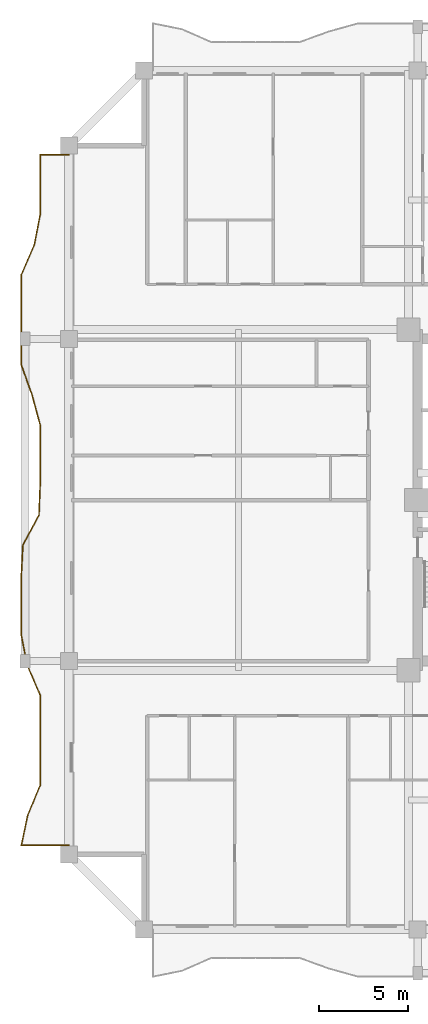
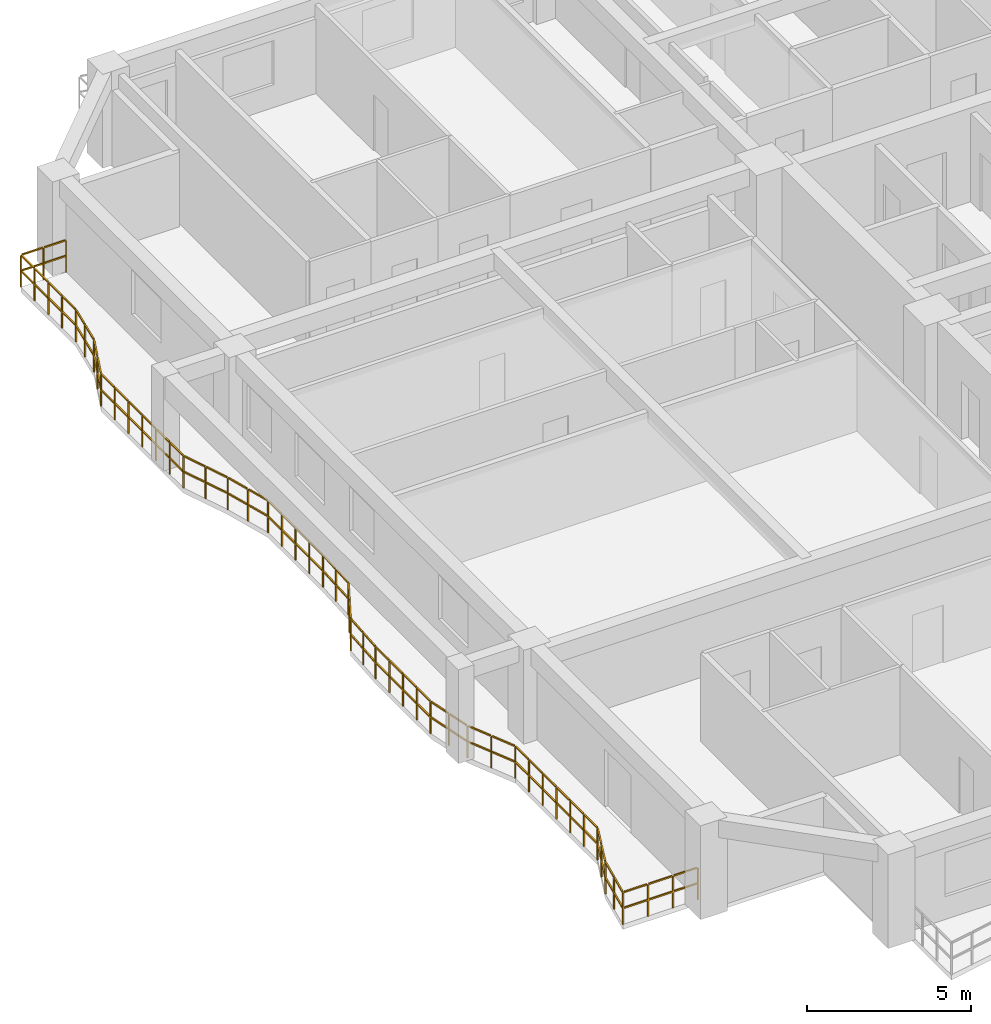
# One storey, part 12 of 17: 1 railing.
"""IFC4 building model written with IfcOpenShell, lengths in metres."""

from ifc_helpers import new_model, si_unit, direction, frame, origin, origin_2d, place, context, subcontext, project, spatial, rectangle, extrude, material, type_object, element, save


model = new_model("IFC4")

# Units and contexts
model_context = context("Model", 3, precision=1e-05, world=origin(), true_north=direction((0.0, 1.0)))
body_context = subcontext(model_context, "Body", "Model", "MODEL_VIEW")
ifc_project = project(units=[si_unit("LENGTHUNIT", "METRE"), si_unit("AREAUNIT", "SQUARE_METRE"), si_unit("VOLUMEUNIT", "CUBIC_METRE"), si_unit("PLANEANGLEUNIT", "RADIAN"), si_unit("MASSUNIT", "GRAM", prefix="KILO")], contexts=[model_context])

# Site, building, storey
site_placement = place(None, origin())
site = spatial("IfcSite", under=ifc_project, at=site_placement, CompositionType="ELEMENT")
building_placement = place(site_placement, origin())
building = spatial("IfcBuilding", under=site, at=building_placement, Name="Saelheon Loggia Tower", CompositionType="ELEMENT")
storey_placement = place(building_placement, frame((0.0, 0.0, 74.35009765625)))
storey = spatial("IfcBuildingStorey", under=building, at=storey_placement, Name="L23", CompositionType="ELEMENT", Elevation=74.35009765625)

# Railing
ifc_material = material(Name="Architectural Precast Concrete and Laminated Glass Guard", Category="concrete")
railing_type = type_object("IfcRailingType", Name="Guard_Loggia_RL_LOG", PredefinedType="BALUSTRADE", material=ifc_material)
railing_placement = place(storey_placement, frame((12.0, 46.300048828125, 0.0)))
element("IfcRailing", 1, at=railing_placement, inside=storey, type_object=railing_type, Name="L23 West Loggia Balustrade", PredefinedType="BALUSTRADE", context=body_context, shape_type="SweptSolid", body=[
    extrude(rectangle(XDim=0.048095703125, YDim=0.048095703125, at=origin_2d()), frame((-0.033203125, 0.0, 1.19580078125), z_axis=(-1.0, 0.0, 0.0), x_axis=(0.0, -1.0, 0.0)), (0.0, 0.0, 1.0), 0.733642578125),
    extrude(rectangle(XDim=0.048095703125, YDim=0.048095703125, at=origin_2d()), frame((-0.033203125, 0.0, 0.60986328125), z_axis=(-1.0, 0.0, 0.0), x_axis=(0.0, -1.0, 0.0)), (0.0, 0.0, 1.0), 0.733642578125),
    extrude(rectangle(XDim=0.048095703125, YDim=0.048095703125, at=origin_2d()), frame((-0.833251953125, 0.0, 1.19580078125), z_axis=(-1.0, 0.0, 0.0), x_axis=(0.0, -1.0, 0.0)), (0.0, 0.0, 1.0), 0.733642578125),
    extrude(rectangle(XDim=0.048095703125, YDim=0.048095703125, at=origin_2d()), frame((-0.833251953125, 0.0, 0.60986328125), z_axis=(-1.0, 0.0, 0.0), x_axis=(0.0, -1.0, 0.0)), (0.0, 0.0, 1.0), 0.733642578125),
    extrude(rectangle(XDim=0.048095703125, YDim=0.048095703125, at=origin_2d()), frame((-1.60009765625, -0.033203125, 1.19580078125), z_axis=(0.0, -1.0, 0.0), x_axis=(1.0, 0.0, 0.0)), (0.0, 0.0, 1.0), 0.772705078125),
    extrude(rectangle(XDim=0.048095703125, YDim=0.048095703125, at=origin_2d()), frame((-1.60009765625, -0.033203125, 0.60986328125), z_axis=(0.0, -1.0, 0.0), x_axis=(1.0, 0.0, 0.0)), (0.0, 0.0, 1.0), 0.772705078125),
    extrude(rectangle(XDim=0.048095703125, YDim=0.048095703125, at=origin_2d()), frame((-1.60009765625, -0.87255859375, 1.19580078125), z_axis=(0.0, -1.0, 0.0), x_axis=(1.0, 0.0, 0.0)), (0.0, 0.0, 1.0), 0.772705078125),
    extrude(rectangle(XDim=0.048095703125, YDim=0.048095703125, at=origin_2d()), frame((-1.60009765625, -0.87255859375, 0.60986328125), z_axis=(0.0, -1.0, 0.0), x_axis=(1.0, 0.0, 0.0)), (0.0, 0.0, 1.0), 0.772705078125),
    extrude(rectangle(XDim=0.048095703125, YDim=0.048095703125, at=origin_2d()), frame((-1.60009765625, -1.711669921875, 1.19580078125), z_axis=(0.0, -1.0, 0.0), x_axis=(1.0, 0.0, 0.0)), (0.0, 0.0, 1.0), 0.7724609375),
    extrude(rectangle(XDim=0.048095703125, YDim=0.048095703125, at=origin_2d()), frame((-1.60009765625, -1.711669921875, 0.60986328125), z_axis=(0.0, -1.0, 0.0), x_axis=(1.0, 0.0, 0.0)), (0.0, 0.0, 1.0), 0.7724609375),
    extrude(rectangle(XDim=0.048095703125, YDim=0.048095703125, at=origin_2d()), frame((-1.60009765625, -2.55078125, 1.19580078125), z_axis=(0.0, -1.0, 0.0), x_axis=(1.0, 0.0, 0.0)), (0.0, 0.0, 1.0), 0.7724609375),
    extrude(rectangle(XDim=0.048095703125, YDim=0.048095703125, at=origin_2d()), frame((-1.60009765625, -2.55078125, 0.60986328125), z_axis=(0.0, -1.0, 0.0), x_axis=(1.0, 0.0, 0.0)), (0.0, 0.0, 1.0), 0.7724609375),
    extrude(rectangle(XDim=0.048095703125, YDim=0.048095703125, at=origin_2d()), frame((-1.6064453125, -3.38916015625, 1.19580078125), z_axis=(-0.190208387004, -0.981743739228, 0.0), x_axis=(0.981743739228, -0.190208387004, 0.0)), (0.0, 0.0, 1.0), 0.788330078125),
    extrude(rectangle(XDim=0.048095703125, YDim=0.048095703125, at=origin_2d()), frame((-1.6064453125, -3.38916015625, 0.60986328125), z_axis=(-0.190208387004, -0.981743739228, 0.0), x_axis=(0.981743739228, -0.190208387004, 0.0)), (0.0, 0.0, 1.0), 0.788330078125),
    extrude(rectangle(XDim=0.048095703125, YDim=0.048095703125, at=origin_2d()), frame((-1.76904296875, -4.228271484375, 1.19580078125), z_axis=(-0.190208387004, -0.981743739228, 0.0), x_axis=(0.981743739228, -0.190208387004, 0.0)), (0.0, 0.0, 1.0), 0.788330078125),
    extrude(rectangle(XDim=0.048095703125, YDim=0.048095703125, at=origin_2d()), frame((-1.76904296875, -4.228271484375, 0.60986328125), z_axis=(-0.190208387004, -0.981743739228, 0.0), x_axis=(0.981743739228, -0.190208387004, 0.0)), (0.0, 0.0, 1.0), 0.788330078125),
    extrude(rectangle(XDim=0.048095703125, YDim=0.048095703125, at=origin_2d()), frame((-1.9384765625, -5.0654296875, 1.19580078125), z_axis=(-0.396400198959, -0.918077819286, 0.0), x_axis=(0.918077819286, -0.396400198959, 0.0)), (0.0, 0.0, 1.0), 0.847412109375),
    extrude(rectangle(XDim=0.048095703125, YDim=0.048095703125, at=origin_2d()), frame((-1.9384765625, -5.0654296875, 0.60986328125), z_axis=(-0.396400198959, -0.918077819286, 0.0), x_axis=(0.918077819286, -0.396400198959, 0.0)), (0.0, 0.0, 1.0), 0.847412109375),
    extrude(rectangle(XDim=0.048095703125, YDim=0.048095703125, at=origin_2d()), frame((-2.30078125, -5.904541015625, 1.19580078125), z_axis=(-0.396400198959, -0.918077819286, 0.0), x_axis=(0.918077819286, -0.396400198959, 0.0)), (0.0, 0.0, 1.0), 0.847412109375),
    extrude(rectangle(XDim=0.048095703125, YDim=0.048095703125, at=origin_2d()), frame((-2.30078125, -5.904541015625, 0.60986328125), z_axis=(-0.396400198959, -0.918077819286, 0.0), x_axis=(0.918077819286, -0.396400198959, 0.0)), (0.0, 0.0, 1.0), 0.847412109375),
    extrude(rectangle(XDim=0.048095703125, YDim=0.048095703125, at=origin_2d()), frame((-2.64990234375, -6.746337890625, 1.19580078125), z_axis=(0.0, -1.0, 0.0), x_axis=(1.0, 0.0, 0.0)), (0.0, 0.0, 1.0), 0.772705078125),
    extrude(rectangle(XDim=0.048095703125, YDim=0.048095703125, at=origin_2d()), frame((-2.64990234375, -6.746337890625, 0.60986328125), z_axis=(0.0, -1.0, 0.0), x_axis=(1.0, 0.0, 0.0)), (0.0, 0.0, 1.0), 0.772705078125),
    extrude(rectangle(XDim=0.048095703125, YDim=0.048095703125, at=origin_2d()), frame((-2.64990234375, -7.58544921875, 1.19580078125), z_axis=(0.0, -1.0, 0.0), x_axis=(1.0, 0.0, 0.0)), (0.0, 0.0, 1.0), 0.772705078125),
    extrude(rectangle(XDim=0.048095703125, YDim=0.048095703125, at=origin_2d()), frame((-2.64990234375, -7.58544921875, 0.60986328125), z_axis=(0.0, -1.0, 0.0), x_axis=(1.0, 0.0, 0.0)), (0.0, 0.0, 1.0), 0.772705078125),
    extrude(rectangle(XDim=0.048095703125, YDim=0.048095703125, at=origin_2d()), frame((-2.64990234375, -8.424560546875, 1.19580078125), z_axis=(0.0, -1.0, 0.0), x_axis=(1.0, 0.0, 0.0)), (0.0, 0.0, 1.0), 0.772705078125),
    extrude(rectangle(XDim=0.048095703125, YDim=0.048095703125, at=origin_2d()), frame((-2.64990234375, -8.424560546875, 0.60986328125), z_axis=(0.0, -1.0, 0.0), x_axis=(1.0, 0.0, 0.0)), (0.0, 0.0, 1.0), 0.772705078125),
    extrude(rectangle(XDim=0.048095703125, YDim=0.048095703125, at=origin_2d()), frame((-2.64990234375, -9.263671875, 1.19580078125), z_axis=(0.0, -1.0, 0.0), x_axis=(1.0, 0.0, 0.0)), (0.0, 0.0, 1.0), 0.772705078125),
    extrude(rectangle(XDim=0.048095703125, YDim=0.048095703125, at=origin_2d()), frame((-2.64990234375, -9.263671875, 0.60986328125), z_axis=(0.0, -1.0, 0.0), x_axis=(1.0, 0.0, 0.0)), (0.0, 0.0, 1.0), 0.772705078125),
    extrude(rectangle(XDim=0.048095703125, YDim=0.048095703125, at=origin_2d()), frame((-2.64990234375, -10.102783203125, 1.19580078125), z_axis=(0.0, -1.0, 0.0), x_axis=(1.0, 0.0, 0.0)), (0.0, 0.0, 1.0), 0.772705078125),
    extrude(rectangle(XDim=0.048095703125, YDim=0.048095703125, at=origin_2d()), frame((-2.64990234375, -10.102783203125, 0.60986328125), z_axis=(0.0, -1.0, 0.0), x_axis=(1.0, 0.0, 0.0)), (0.0, 0.0, 1.0), 0.772705078125),
    extrude(rectangle(XDim=0.048095703125, YDim=0.048095703125, at=origin_2d()), frame((-2.64990234375, -10.94189453125, 1.19580078125), z_axis=(0.0, -1.0, 0.0), x_axis=(1.0, 0.0, 0.0)), (0.0, 0.0, 1.0), 0.772705078125),
    extrude(rectangle(XDim=0.048095703125, YDim=0.048095703125, at=origin_2d()), frame((-2.64990234375, -10.94189453125, 0.60986328125), z_axis=(0.0, -1.0, 0.0), x_axis=(1.0, 0.0, 0.0)), (0.0, 0.0, 1.0), 0.772705078125),
    extrude(rectangle(XDim=0.048095703125, YDim=0.048095703125, at=origin_2d()), frame((-2.638671875, -11.779052734375, 1.19580078125), z_axis=(0.334468754842, -0.942406839976, 0.0), x_axis=(0.942406839976, 0.334468754842, 0.0)), (0.0, 0.0, 1.0), 0.823974609375),
    extrude(rectangle(XDim=0.048095703125, YDim=0.048095703125, at=origin_2d()), frame((-2.638671875, -11.779052734375, 0.60986328125), z_axis=(0.334468754842, -0.942406839976, 0.0), x_axis=(0.942406839976, 0.334468754842, 0.0)), (0.0, 0.0, 1.0), 0.823974609375),
    extrude(rectangle(XDim=0.048095703125, YDim=0.048095703125, at=origin_2d()), frame((-2.3408203125, -12.618408203125, 1.19580078125), z_axis=(0.334468754842, -0.942406839976, 0.0), x_axis=(0.942406839976, 0.334468754842, 0.0)), (0.0, 0.0, 1.0), 0.823974609375),
    extrude(rectangle(XDim=0.048095703125, YDim=0.048095703125, at=origin_2d()), frame((-2.3408203125, -12.618408203125, 0.60986328125), z_axis=(0.334468754842, -0.942406839976, 0.0), x_axis=(0.942406839976, 0.334468754842, 0.0)), (0.0, 0.0, 1.0), 0.823974609375),
    extrude(rectangle(XDim=0.048095703125, YDim=0.048095703125, at=origin_2d()), frame((-2.04541015625, -13.458251953125, 1.19580078125), z_axis=(0.261227378057, -0.965277295368, 0.0), x_axis=(0.965277295368, 0.261227378057, 0.0)), (0.0, 0.0, 1.0), 0.802734375),
    extrude(rectangle(XDim=0.048095703125, YDim=0.048095703125, at=origin_2d()), frame((-2.04541015625, -13.458251953125, 0.60986328125), z_axis=(0.261227378057, -0.965277295368, 0.0), x_axis=(0.965277295368, 0.261227378057, 0.0)), (0.0, 0.0, 1.0), 0.802734375),
    extrude(rectangle(XDim=0.048095703125, YDim=0.048095703125, at=origin_2d()), frame((-1.818359375, -14.29736328125, 1.19580078125), z_axis=(0.261227378057, -0.965277295368, 0.0), x_axis=(0.965277295368, 0.261227378057, 0.0)), (0.0, 0.0, 1.0), 0.802734375),
    extrude(rectangle(XDim=0.048095703125, YDim=0.048095703125, at=origin_2d()), frame((-1.818359375, -14.29736328125, 0.60986328125), z_axis=(0.261227378057, -0.965277295368, 0.0), x_axis=(0.965277295368, 0.261227378057, 0.0)), (0.0, 0.0, 1.0), 0.802734375),
    extrude(rectangle(XDim=0.048095703125, YDim=0.048095703125, at=origin_2d()), frame((-1.60009765625, -15.137451171875, 1.19580078125), z_axis=(0.0, -1.0, 0.0), x_axis=(1.0, 0.0, 0.0)), (0.0, 0.0, 1.0), 0.772705078125),
    extrude(rectangle(XDim=0.048095703125, YDim=0.048095703125, at=origin_2d()), frame((-1.60009765625, -15.137451171875, 0.60986328125), z_axis=(0.0, -1.0, 0.0), x_axis=(1.0, 0.0, 0.0)), (0.0, 0.0, 1.0), 0.772705078125),
    extrude(rectangle(XDim=0.048095703125, YDim=0.048095703125, at=origin_2d()), frame((-1.60009765625, -15.976806640625, 1.19580078125), z_axis=(0.0, -1.0, 0.0), x_axis=(1.0, 0.0, 0.0)), (0.0, 0.0, 1.0), 0.772705078125),
    extrude(rectangle(XDim=0.048095703125, YDim=0.048095703125, at=origin_2d()), frame((-1.60009765625, -15.976806640625, 0.60986328125), z_axis=(0.0, -1.0, 0.0), x_axis=(1.0, 0.0, 0.0)), (0.0, 0.0, 1.0), 0.772705078125),
    extrude(rectangle(XDim=0.048095703125, YDim=0.048095703125, at=origin_2d()), frame((-1.60009765625, -16.81591796875, 1.19580078125), z_axis=(0.0, -1.0, 0.0), x_axis=(1.0, 0.0, 0.0)), (0.0, 0.0, 1.0), 0.772705078125),
    extrude(rectangle(XDim=0.048095703125, YDim=0.048095703125, at=origin_2d()), frame((-1.60009765625, -16.81591796875, 0.60986328125), z_axis=(0.0, -1.0, 0.0), x_axis=(1.0, 0.0, 0.0)), (0.0, 0.0, 1.0), 0.772705078125),
    extrude(rectangle(XDim=0.048095703125, YDim=0.048095703125, at=origin_2d()), frame((-1.60009765625, -17.655029296875, 1.19580078125), z_axis=(0.0, -1.0, 0.0), x_axis=(1.0, 0.0, 0.0)), (0.0, 0.0, 1.0), 0.772705078125),
    extrude(rectangle(XDim=0.048095703125, YDim=0.048095703125, at=origin_2d()), frame((-1.60009765625, -17.655029296875, 0.60986328125), z_axis=(0.0, -1.0, 0.0), x_axis=(1.0, 0.0, 0.0)), (0.0, 0.0, 1.0), 0.772705078125),
    extrude(rectangle(XDim=0.048095703125, YDim=0.048095703125, at=origin_2d()), frame((-1.601318359375, -18.494140625, 1.19580078125), z_axis=(-0.039103035271, -0.999235183844, 0.0), x_axis=(0.999235183844, -0.039103035271, 0.0)), (0.0, 0.0, 1.0), 0.773193359375),
    extrude(rectangle(XDim=0.048095703125, YDim=0.048095703125, at=origin_2d()), frame((-1.601318359375, -18.494140625, 0.60986328125), z_axis=(-0.039103035271, -0.999235183844, 0.0), x_axis=(0.999235183844, -0.039103035271, 0.0)), (0.0, 0.0, 1.0), 0.773193359375),
    extrude(rectangle(XDim=0.048095703125, YDim=0.048095703125, at=origin_2d()), frame((-1.63427734375, -19.333251953125, 1.19580078125), z_axis=(-0.039103035271, -0.999235183844, 0.0), x_axis=(0.999235183844, -0.039103035271, 0.0)), (0.0, 0.0, 1.0), 0.773193359375),
    extrude(rectangle(XDim=0.048095703125, YDim=0.048095703125, at=origin_2d()), frame((-1.63427734375, -19.333251953125, 0.60986328125), z_axis=(-0.039103035271, -0.999235183844, 0.0), x_axis=(0.999235183844, -0.039103035271, 0.0)), (0.0, 0.0, 1.0), 0.773193359375),
    extrude(rectangle(XDim=0.048095703125, YDim=0.048095703125, at=origin_2d()), frame((-1.681396484375, -20.16845703125, 1.19580078125), z_axis=(-0.470474964031, -0.882413343179, 0.0), x_axis=(0.882413343179, -0.470474964031, 0.0)), (0.0, 0.0, 1.0), 0.884521484375),
    extrude(rectangle(XDim=0.048095703125, YDim=0.048095703125, at=origin_2d()), frame((-1.681396484375, -20.16845703125, 0.60986328125), z_axis=(-0.470474964031, -0.882413343179, 0.0), x_axis=(0.882413343179, -0.470474964031, 0.0)), (0.0, 0.0, 1.0), 0.884521484375),
    extrude(rectangle(XDim=0.048095703125, YDim=0.048095703125, at=origin_2d()), frame((-2.12890625, -21.007568359375, 1.19580078125), z_axis=(-0.470474964031, -0.882413343179, 0.0), x_axis=(0.882413343179, -0.470474964031, 0.0)), (0.0, 0.0, 1.0), 0.884521484375),
    extrude(rectangle(XDim=0.048095703125, YDim=0.048095703125, at=origin_2d()), frame((-2.12890625, -21.007568359375, 0.60986328125), z_axis=(-0.470474964031, -0.882413343179, 0.0), x_axis=(0.882413343179, -0.470474964031, 0.0)), (0.0, 0.0, 1.0), 0.884521484375),
    extrude(rectangle(XDim=0.048095703125, YDim=0.048095703125, at=origin_2d()), frame((-2.562255859375, -21.8505859375, 1.19580078125), z_axis=(-0.053161084744, -0.998585949765, 0.0), x_axis=(0.998585949765, -0.053161084744, 0.0)), (0.0, 0.0, 1.0), 0.77392578125),
    extrude(rectangle(XDim=0.048095703125, YDim=0.048095703125, at=origin_2d()), frame((-2.562255859375, -21.8505859375, 0.60986328125), z_axis=(-0.053161084744, -0.998585949765, 0.0), x_axis=(0.998585949765, -0.053161084744, 0.0)), (0.0, 0.0, 1.0), 0.77392578125),
    extrude(rectangle(XDim=0.048095703125, YDim=0.048095703125, at=origin_2d()), frame((-2.60693359375, -22.689697265625, 1.19580078125), z_axis=(-0.053161084744, -0.998585949765, 0.0), x_axis=(0.998585949765, -0.053161084744, 0.0)), (0.0, 0.0, 1.0), 0.77392578125),
    extrude(rectangle(XDim=0.048095703125, YDim=0.048095703125, at=origin_2d()), frame((-2.60693359375, -22.689697265625, 0.60986328125), z_axis=(-0.053161084744, -0.998585949765, 0.0), x_axis=(0.998585949765, -0.053161084744, 0.0)), (0.0, 0.0, 1.0), 0.77392578125),
    extrude(rectangle(XDim=0.048095703125, YDim=0.048095703125, at=origin_2d()), frame((-2.64990234375, -23.529052734375, 1.19580078125), z_axis=(0.0, -1.0, 0.0), x_axis=(1.0, 0.0, 0.0)), (0.0, 0.0, 1.0), 0.7724609375),
    extrude(rectangle(XDim=0.048095703125, YDim=0.048095703125, at=origin_2d()), frame((-2.64990234375, -23.529052734375, 0.60986328125), z_axis=(0.0, -1.0, 0.0), x_axis=(1.0, 0.0, 0.0)), (0.0, 0.0, 1.0), 0.7724609375),
    extrude(rectangle(XDim=0.048095703125, YDim=0.048095703125, at=origin_2d()), frame((-2.64990234375, -24.3681640625, 1.19580078125), z_axis=(0.0, -1.0, 0.0), x_axis=(1.0, 0.0, 0.0)), (0.0, 0.0, 1.0), 0.7724609375),
    extrude(rectangle(XDim=0.048095703125, YDim=0.048095703125, at=origin_2d()), frame((-2.64990234375, -24.3681640625, 0.60986328125), z_axis=(0.0, -1.0, 0.0), x_axis=(1.0, 0.0, 0.0)), (0.0, 0.0, 1.0), 0.7724609375),
    extrude(rectangle(XDim=0.048095703125, YDim=0.048095703125, at=origin_2d()), frame((-2.64990234375, -25.20703125, 1.19580078125), z_axis=(0.0, -1.0, 0.0), x_axis=(1.0, 0.0, 0.0)), (0.0, 0.0, 1.0), 0.772705078125),
    extrude(rectangle(XDim=0.048095703125, YDim=0.048095703125, at=origin_2d()), frame((-2.64990234375, -25.20703125, 0.60986328125), z_axis=(0.0, -1.0, 0.0), x_axis=(1.0, 0.0, 0.0)), (0.0, 0.0, 1.0), 0.772705078125),
    extrude(rectangle(XDim=0.048095703125, YDim=0.048095703125, at=origin_2d()), frame((-2.64990234375, -26.04638671875, 1.19580078125), z_axis=(0.0, -1.0, 0.0), x_axis=(1.0, 0.0, 0.0)), (0.0, 0.0, 1.0), 0.772705078125),
    extrude(rectangle(XDim=0.048095703125, YDim=0.048095703125, at=origin_2d()), frame((-2.64990234375, -26.04638671875, 0.60986328125), z_axis=(0.0, -1.0, 0.0), x_axis=(1.0, 0.0, 0.0)), (0.0, 0.0, 1.0), 0.772705078125),
    extrude(rectangle(XDim=0.048095703125, YDim=0.048095703125, at=origin_2d()), frame((-2.6435546875, -26.885009765625, 1.19580078125), z_axis=(0.191060757648, -0.981578212313, 0.0), x_axis=(0.981578212313, 0.191060757648, 0.0)), (0.0, 0.0, 1.0), 0.788330078125),
    extrude(rectangle(XDim=0.048095703125, YDim=0.048095703125, at=origin_2d()), frame((-2.6435546875, -26.885009765625, 0.60986328125), z_axis=(0.191060757648, -0.981578212313, 0.0), x_axis=(0.981578212313, 0.191060757648, 0.0)), (0.0, 0.0, 1.0), 0.788330078125),
    extrude(rectangle(XDim=0.048095703125, YDim=0.048095703125, at=origin_2d()), frame((-2.480224609375, -27.72412109375, 1.19580078125), z_axis=(0.191060757648, -0.981578212313, 0.0), x_axis=(0.981578212313, 0.191060757648, 0.0)), (0.0, 0.0, 1.0), 0.788330078125),
    extrude(rectangle(XDim=0.048095703125, YDim=0.048095703125, at=origin_2d()), frame((-2.480224609375, -27.72412109375, 0.60986328125), z_axis=(0.191060757648, -0.981578212313, 0.0), x_axis=(0.981578212313, 0.191060757648, 0.0)), (0.0, 0.0, 1.0), 0.788330078125),
    extrude(rectangle(XDim=0.048095703125, YDim=0.048095703125, at=origin_2d()), frame((-2.31005859375, -28.56103515625, 1.19580078125), z_axis=(0.395724447391, -0.918369294857, 0.0), x_axis=(0.918369294857, 0.395724447391, 0.0)), (0.0, 0.0, 1.0), 0.84716796875),
    extrude(rectangle(XDim=0.048095703125, YDim=0.048095703125, at=origin_2d()), frame((-2.31005859375, -28.56103515625, 0.60986328125), z_axis=(0.395724447391, -0.918369294857, 0.0), x_axis=(0.918369294857, 0.395724447391, 0.0)), (0.0, 0.0, 1.0), 0.84716796875),
    extrude(rectangle(XDim=0.048095703125, YDim=0.048095703125, at=origin_2d()), frame((-1.948486328125, -29.400146484375, 1.19580078125), z_axis=(0.395724447391, -0.918369294857, 0.0), x_axis=(0.918369294857, 0.395724447391, 0.0)), (0.0, 0.0, 1.0), 0.84716796875),
    extrude(rectangle(XDim=0.048095703125, YDim=0.048095703125, at=origin_2d()), frame((-1.948486328125, -29.400146484375, 0.60986328125), z_axis=(0.395724447391, -0.918369294857, 0.0), x_axis=(0.918369294857, 0.395724447391, 0.0)), (0.0, 0.0, 1.0), 0.84716796875),
    extrude(rectangle(XDim=0.048095703125, YDim=0.048095703125, at=origin_2d()), frame((-1.60009765625, -30.241943359375, 1.19580078125), z_axis=(0.0, -1.0, 0.0), x_axis=(1.0, 0.0, 0.0)), (0.0, 0.0, 1.0), 0.772705078125),
    extrude(rectangle(XDim=0.048095703125, YDim=0.048095703125, at=origin_2d()), frame((-1.60009765625, -30.241943359375, 0.60986328125), z_axis=(0.0, -1.0, 0.0), x_axis=(1.0, 0.0, 0.0)), (0.0, 0.0, 1.0), 0.772705078125),
    extrude(rectangle(XDim=0.048095703125, YDim=0.048095703125, at=origin_2d()), frame((-1.60009765625, -31.0810546875, 1.19580078125), z_axis=(0.0, -1.0, 0.0), x_axis=(1.0, 0.0, 0.0)), (0.0, 0.0, 1.0), 0.772705078125),
    extrude(rectangle(XDim=0.048095703125, YDim=0.048095703125, at=origin_2d()), frame((-1.60009765625, -31.0810546875, 0.60986328125), z_axis=(0.0, -1.0, 0.0), x_axis=(1.0, 0.0, 0.0)), (0.0, 0.0, 1.0), 0.772705078125),
    extrude(rectangle(XDim=0.048095703125, YDim=0.048095703125, at=origin_2d()), frame((-1.60009765625, -31.920166015625, 1.19580078125), z_axis=(0.0, -1.0, 0.0), x_axis=(1.0, 0.0, 0.0)), (0.0, 0.0, 1.0), 0.772705078125),
    extrude(rectangle(XDim=0.048095703125, YDim=0.048095703125, at=origin_2d()), frame((-1.60009765625, -31.920166015625, 0.60986328125), z_axis=(0.0, -1.0, 0.0), x_axis=(1.0, 0.0, 0.0)), (0.0, 0.0, 1.0), 0.772705078125),
    extrude(rectangle(XDim=0.048095703125, YDim=0.048095703125, at=origin_2d()), frame((-1.60009765625, -32.75927734375, 1.19580078125), z_axis=(0.0, -1.0, 0.0), x_axis=(1.0, 0.0, 0.0)), (0.0, 0.0, 1.0), 0.772705078125),
    extrude(rectangle(XDim=0.048095703125, YDim=0.048095703125, at=origin_2d()), frame((-1.60009765625, -32.75927734375, 0.60986328125), z_axis=(0.0, -1.0, 0.0), x_axis=(1.0, 0.0, 0.0)), (0.0, 0.0, 1.0), 0.772705078125),
    extrude(rectangle(XDim=0.048095703125, YDim=0.048095703125, at=origin_2d()), frame((-1.60009765625, -33.598388671875, 1.19580078125), z_axis=(0.0, -1.0, 0.0), x_axis=(1.0, 0.0, 0.0)), (0.0, 0.0, 1.0), 0.772705078125),
    extrude(rectangle(XDim=0.048095703125, YDim=0.048095703125, at=origin_2d()), frame((-1.60009765625, -33.598388671875, 0.60986328125), z_axis=(0.0, -1.0, 0.0), x_axis=(1.0, 0.0, 0.0)), (0.0, 0.0, 1.0), 0.772705078125),
    extrude(rectangle(XDim=0.048095703125, YDim=0.048095703125, at=origin_2d()), frame((-1.60009765625, -34.437744140625, 1.19580078125), z_axis=(0.0, -1.0, 0.0), x_axis=(1.0, 0.0, 0.0)), (0.0, 0.0, 1.0), 0.772705078125),
    extrude(rectangle(XDim=0.048095703125, YDim=0.048095703125, at=origin_2d()), frame((-1.60009765625, -34.437744140625, 0.60986328125), z_axis=(0.0, -1.0, 0.0), x_axis=(1.0, 0.0, 0.0)), (0.0, 0.0, 1.0), 0.772705078125),
    extrude(rectangle(XDim=0.048095703125, YDim=0.048095703125, at=origin_2d()), frame((-1.61279296875, -35.2744140625, 1.19580078125), z_axis=(-0.383842529392, -0.923398566508, 0.0), x_axis=(0.923398566508, -0.383842529392, 0.0)), (0.0, 0.0, 1.0), 0.842041015625),
    extrude(rectangle(XDim=0.048095703125, YDim=0.048095703125, at=origin_2d()), frame((-1.61279296875, -35.2744140625, 0.60986328125), z_axis=(-0.383842529392, -0.923398566508, 0.0), x_axis=(0.923398566508, -0.383842529392, 0.0)), (0.0, 0.0, 1.0), 0.842041015625),
    extrude(rectangle(XDim=0.048095703125, YDim=0.048095703125, at=origin_2d()), frame((-1.961669921875, -36.11328125, 1.19580078125), z_axis=(-0.383842529392, -0.923398566508, 0.0), x_axis=(0.923398566508, -0.383842529392, 0.0)), (0.0, 0.0, 1.0), 0.842041015625),
    extrude(rectangle(XDim=0.048095703125, YDim=0.048095703125, at=origin_2d()), frame((-1.961669921875, -36.11328125, 0.60986328125), z_axis=(-0.383842529392, -0.923398566508, 0.0), x_axis=(0.923398566508, -0.383842529392, 0.0)), (0.0, 0.0, 1.0), 0.842041015625),
    extrude(rectangle(XDim=0.048095703125, YDim=0.048095703125, at=origin_2d()), frame((-2.304443359375, -36.9541015625, 1.19580078125), z_axis=(-0.205414978073, -0.978674964829, 0.0), x_axis=(0.978674964829, -0.205414978073, 0.0)), (0.0, 0.0, 1.0), 0.791015625),
    extrude(rectangle(XDim=0.048095703125, YDim=0.048095703125, at=origin_2d()), frame((-2.304443359375, -36.9541015625, 0.60986328125), z_axis=(-0.205414978073, -0.978674964829, 0.0), x_axis=(0.978674964829, -0.205414978073, 0.0)), (0.0, 0.0, 1.0), 0.791015625),
    extrude(rectangle(XDim=0.048095703125, YDim=0.048095703125, at=origin_2d()), frame((-2.48046875, -37.79345703125, 1.19580078125), z_axis=(-0.205414978073, -0.978674964829, 0.0), x_axis=(0.978674964829, -0.205414978073, 0.0)), (0.0, 0.0, 1.0), 0.791015625),
    extrude(rectangle(XDim=0.048095703125, YDim=0.048095703125, at=origin_2d()), frame((-2.48046875, -37.79345703125, 0.60986328125), z_axis=(-0.205414978073, -0.978674964829, 0.0), x_axis=(0.978674964829, -0.205414978073, 0.0)), (0.0, 0.0, 1.0), 0.791015625),
    extrude(rectangle(XDim=0.048095703125, YDim=0.048095703125, at=origin_2d()), frame((-2.61669921875, -38.60009765625, 1.19580078125), z_axis=(1.0, 0.0, 0.0), x_axis=(0.0, 1.0, 0.0)), (0.0, 0.0, 1.0), 0.81689453125),
    extrude(rectangle(XDim=0.048095703125, YDim=0.048095703125, at=origin_2d()), frame((-2.61669921875, -38.60009765625, 0.60986328125), z_axis=(1.0, 0.0, 0.0), x_axis=(0.0, 1.0, 0.0)), (0.0, 0.0, 1.0), 0.81689453125),
    extrude(rectangle(XDim=0.048095703125, YDim=0.048095703125, at=origin_2d()), frame((-1.7333984375, -38.60009765625, 1.19580078125), z_axis=(1.0, 0.0, 0.0), x_axis=(0.0, 1.0, 0.0)), (0.0, 0.0, 1.0), 0.81689453125),
    extrude(rectangle(XDim=0.048095703125, YDim=0.048095703125, at=origin_2d()), frame((-1.7333984375, -38.60009765625, 0.60986328125), z_axis=(1.0, 0.0, 0.0), x_axis=(0.0, 1.0, 0.0)), (0.0, 0.0, 1.0), 0.81689453125),
    extrude(rectangle(XDim=0.048095703125, YDim=0.048095703125, at=origin_2d()), frame((-0.85009765625, -38.60009765625, 1.19580078125), z_axis=(1.0, 0.0, 0.0), x_axis=(0.0, 1.0, 0.0)), (0.0, 0.0, 1.0), 0.81689453125),
    extrude(rectangle(XDim=0.048095703125, YDim=0.048095703125, at=origin_2d()), frame((-0.85009765625, -38.60009765625, 0.60986328125), z_axis=(1.0, 0.0, 0.0), x_axis=(0.0, 1.0, 0.0)), (0.0, 0.0, 1.0), 0.81689453125),
    extrude(rectangle(XDim=0.0419921875, YDim=0.0419921875, at=origin_2d()), origin(), (0.0, 0.0, 1.0), 1.16796875),
    extrude(rectangle(XDim=0.0419921875, YDim=0.0419921875, at=origin_2d()), frame((-0.800048828125, 0.0, 0.0)), (0.0, 0.0, 1.0), 1.16796875),
    extrude(rectangle(XDim=0.0419921875, YDim=0.0419921875, at=origin_2d()), frame((-1.60009765625, 0.0, 0.0)), (0.0, 0.0, 1.0), 1.16796875),
    extrude(rectangle(XDim=0.0419921875, YDim=0.0419921875, at=origin_2d()), frame((-1.60009765625, -0.83935546875, 0.0)), (0.0, 0.0, 1.0), 1.16796875),
    extrude(rectangle(XDim=0.0419921875, YDim=0.0419921875, at=origin_2d()), frame((-1.60009765625, -1.678466796875, 0.0)), (0.0, 0.0, 1.0), 1.16796875),
    extrude(rectangle(XDim=0.0419921875, YDim=0.0419921875, at=origin_2d()), frame((-1.60009765625, -2.517578125, 0.0)), (0.0, 0.0, 1.0), 1.16796875),
    extrude(rectangle(XDim=0.0419921875, YDim=0.0419921875, at=origin_2d()), frame((-1.60009765625, -3.3564453125, 0.0)), (0.0, 0.0, 1.0), 1.16796875),
    extrude(rectangle(XDim=0.0419921875, YDim=0.0419921875, at=origin_2d()), frame((-1.7626953125, -4.19580078125, 0.0)), (0.0, 0.0, 1.0), 1.16796875),
    extrude(rectangle(XDim=0.0419921875, YDim=0.0419921875, at=origin_2d()), frame((-1.92529296875, -5.034912109375, 0.0)), (0.0, 0.0, 1.0), 1.16796875),
    extrude(rectangle(XDim=0.0419921875, YDim=0.0419921875, at=origin_2d()), frame((-2.28759765625, -5.8740234375, 0.0)), (0.0, 0.0, 1.0), 1.16796875),
    extrude(rectangle(XDim=0.0419921875, YDim=0.0419921875, at=origin_2d()), frame((-2.64990234375, -6.713134765625, 0.0)), (0.0, 0.0, 1.0), 1.16796875),
    extrude(rectangle(XDim=0.0419921875, YDim=0.0419921875, at=origin_2d()), frame((-2.64990234375, -7.55224609375, 0.0)), (0.0, 0.0, 1.0), 1.16796875),
    extrude(rectangle(XDim=0.0419921875, YDim=0.0419921875, at=origin_2d()), frame((-2.64990234375, -8.391357421875, 0.0)), (0.0, 0.0, 1.0), 1.16796875),
    extrude(rectangle(XDim=0.0419921875, YDim=0.0419921875, at=origin_2d()), frame((-2.64990234375, -9.23046875, 0.0)), (0.0, 0.0, 1.0), 1.16796875),
    extrude(rectangle(XDim=0.0419921875, YDim=0.0419921875, at=origin_2d()), frame((-2.64990234375, -10.069580078125, 0.0)), (0.0, 0.0, 1.0), 1.16796875),
    extrude(rectangle(XDim=0.0419921875, YDim=0.0419921875, at=origin_2d()), frame((-2.64990234375, -10.90869140625, 0.0)), (0.0, 0.0, 1.0), 1.16796875),
    extrude(rectangle(XDim=0.0419921875, YDim=0.0419921875, at=origin_2d()), frame((-2.64990234375, -11.747802734375, 0.0)), (0.0, 0.0, 1.0), 1.16796875),
    extrude(rectangle(XDim=0.0419921875, YDim=0.0419921875, at=origin_2d()), frame((-2.35205078125, -12.5869140625, 0.0)), (0.0, 0.0, 1.0), 1.16796875),
    extrude(rectangle(XDim=0.0419921875, YDim=0.0419921875, at=origin_2d()), frame((-2.05419921875, -13.42626953125, 0.0)), (0.0, 0.0, 1.0), 1.16796875),
    extrude(rectangle(XDim=0.0419921875, YDim=0.0419921875, at=origin_2d()), frame((-1.8271484375, -14.26513671875, 0.0)), (0.0, 0.0, 1.0), 1.16796875),
    extrude(rectangle(XDim=0.0419921875, YDim=0.0419921875, at=origin_2d()), frame((-1.60009765625, -15.104248046875, 0.0)), (0.0, 0.0, 1.0), 1.16796875),
    extrude(rectangle(XDim=0.0419921875, YDim=0.0419921875, at=origin_2d()), frame((-1.60009765625, -15.943359375, 0.0)), (0.0, 0.0, 1.0), 1.16796875),
    extrude(rectangle(XDim=0.0419921875, YDim=0.0419921875, at=origin_2d()), frame((-1.60009765625, -16.78271484375, 0.0)), (0.0, 0.0, 1.0), 1.16796875),
    extrude(rectangle(XDim=0.0419921875, YDim=0.0419921875, at=origin_2d()), frame((-1.60009765625, -17.621826171875, 0.0)), (0.0, 0.0, 1.0), 1.16796875),
    extrude(rectangle(XDim=0.0419921875, YDim=0.0419921875, at=origin_2d()), frame((-1.60009765625, -18.4609375, 0.0)), (0.0, 0.0, 1.0), 1.16796875),
    extrude(rectangle(XDim=0.0419921875, YDim=0.0419921875, at=origin_2d()), frame((-1.6328125, -19.300048828125, 0.0)), (0.0, 0.0, 1.0), 1.16796875),
    extrude(rectangle(XDim=0.0419921875, YDim=0.0419921875, at=origin_2d()), frame((-1.665771484375, -20.13916015625, 0.0)), (0.0, 0.0, 1.0), 1.16796875),
    extrude(rectangle(XDim=0.0419921875, YDim=0.0419921875, at=origin_2d()), frame((-2.11328125, -20.978271484375, 0.0)), (0.0, 0.0, 1.0), 1.16796875),
    extrude(rectangle(XDim=0.0419921875, YDim=0.0419921875, at=origin_2d()), frame((-2.560546875, -21.8173828125, 0.0)), (0.0, 0.0, 1.0), 1.16796875),
    extrude(rectangle(XDim=0.0419921875, YDim=0.0419921875, at=origin_2d()), frame((-2.605224609375, -22.65673828125, 0.0)), (0.0, 0.0, 1.0), 1.16796875),
    extrude(rectangle(XDim=0.0419921875, YDim=0.0419921875, at=origin_2d()), frame((-2.64990234375, -23.495849609375, 0.0)), (0.0, 0.0, 1.0), 1.16796875),
    extrude(rectangle(XDim=0.0419921875, YDim=0.0419921875, at=origin_2d()), frame((-2.64990234375, -24.3349609375, 0.0)), (0.0, 0.0, 1.0), 1.16796875),
    extrude(rectangle(XDim=0.0419921875, YDim=0.0419921875, at=origin_2d()), frame((-2.64990234375, -25.173828125, 0.0)), (0.0, 0.0, 1.0), 1.16796875),
    extrude(rectangle(XDim=0.0419921875, YDim=0.0419921875, at=origin_2d()), frame((-2.64990234375, -26.01318359375, 0.0)), (0.0, 0.0, 1.0), 1.16796875),
    extrude(rectangle(XDim=0.0419921875, YDim=0.0419921875, at=origin_2d()), frame((-2.64990234375, -26.852294921875, 0.0)), (0.0, 0.0, 1.0), 1.16796875),
    extrude(rectangle(XDim=0.0419921875, YDim=0.0419921875, at=origin_2d()), frame((-2.486572265625, -27.69140625, 0.0)), (0.0, 0.0, 1.0), 1.16796875),
    extrude(rectangle(XDim=0.0419921875, YDim=0.0419921875, at=origin_2d()), frame((-2.3232421875, -28.530517578125, 0.0)), (0.0, 0.0, 1.0), 1.16796875),
    extrude(rectangle(XDim=0.0419921875, YDim=0.0419921875, at=origin_2d()), frame((-1.961669921875, -29.36962890625, 0.0)), (0.0, 0.0, 1.0), 1.16796875),
    extrude(rectangle(XDim=0.0419921875, YDim=0.0419921875, at=origin_2d()), frame((-1.60009765625, -30.208740234375, 0.0)), (0.0, 0.0, 1.0), 1.16796875),
    extrude(rectangle(XDim=0.0419921875, YDim=0.0419921875, at=origin_2d()), frame((-1.60009765625, -31.0478515625, 0.0)), (0.0, 0.0, 1.0), 1.16796875),
    extrude(rectangle(XDim=0.0419921875, YDim=0.0419921875, at=origin_2d()), frame((-1.60009765625, -31.886962890625, 0.0)), (0.0, 0.0, 1.0), 1.16796875),
    extrude(rectangle(XDim=0.0419921875, YDim=0.0419921875, at=origin_2d()), frame((-1.60009765625, -32.72607421875, 0.0)), (0.0, 0.0, 1.0), 1.16796875),
    extrude(rectangle(XDim=0.0419921875, YDim=0.0419921875, at=origin_2d()), frame((-1.60009765625, -33.565185546875, 0.0)), (0.0, 0.0, 1.0), 1.16796875),
    extrude(rectangle(XDim=0.0419921875, YDim=0.0419921875, at=origin_2d()), frame((-1.60009765625, -34.404296875, 0.0)), (0.0, 0.0, 1.0), 1.16796875),
    extrude(rectangle(XDim=0.0419921875, YDim=0.0419921875, at=origin_2d()), frame((-1.60009765625, -35.24365234375, 0.0)), (0.0, 0.0, 1.0), 1.16796875),
    extrude(rectangle(XDim=0.0419921875, YDim=0.0419921875, at=origin_2d()), frame((-1.94873046875, -36.08251953125, 0.0)), (0.0, 0.0, 1.0), 1.16796875),
    extrude(rectangle(XDim=0.0419921875, YDim=0.0419921875, at=origin_2d()), frame((-2.297607421875, -36.921630859375, 0.0)), (0.0, 0.0, 1.0), 1.16796875),
    extrude(rectangle(XDim=0.0419921875, YDim=0.0419921875, at=origin_2d()), frame((-2.4736328125, -37.7607421875, 0.0)), (0.0, 0.0, 1.0), 1.16796875),
    extrude(rectangle(XDim=0.0419921875, YDim=0.0419921875, at=origin_2d()), frame((-2.64990234375, -38.60009765625, 0.0)), (0.0, 0.0, 1.0), 1.16796875),
    extrude(rectangle(XDim=0.0419921875, YDim=0.0419921875, at=origin_2d()), frame((-1.7666015625, -38.60009765625, 0.0)), (0.0, 0.0, 1.0), 1.16796875),
    extrude(rectangle(XDim=0.0419921875, YDim=0.0419921875, at=origin_2d()), frame((-0.88330078125, -38.60009765625, 0.0)), (0.0, 0.0, 1.0), 1.16796875),
    extrude(rectangle(XDim=0.0419921875, YDim=0.0419921875, at=origin_2d()), frame((0.0, -38.60009765625, 0.0)), (0.0, 0.0, 1.0), 1.16796875),
])

save(model, "model.ifc")
